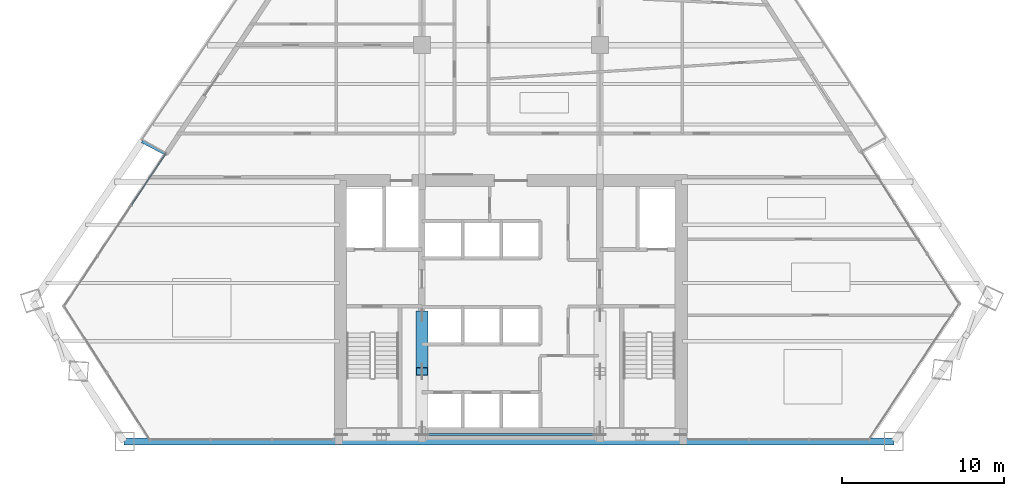
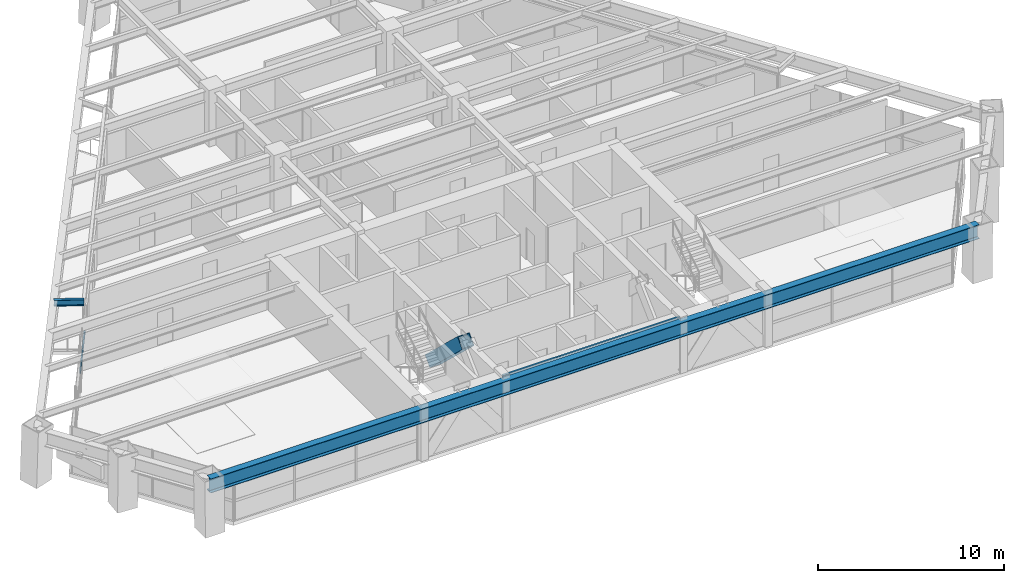
# One storey, part 3 of 14: 3 beams, 2 members, 1 element without a shape of its own.
"""IFC4 building model written with IfcOpenShell, lengths in metres."""

from ifc_helpers import new_model, si_unit, direction, frame, origin, origin_2d, place, context, subcontext, project, spatial, rectangle, hollow_rectangle, i_section, extrude, source, transform, mapped, material, material_profile, profile_set, type_object, type_shapes, element, aggregate, save


model = new_model("IFC4")

# Units and contexts
model_context = context("Model", 3, precision=1e-05, world=origin(), true_north=direction((0.0, 1.0)))
body_context = subcontext(model_context, "Body", "Model", "MODEL_VIEW")
ifc_project = project(units=[si_unit("LENGTHUNIT", "METRE"), si_unit("AREAUNIT", "SQUARE_METRE"), si_unit("VOLUMEUNIT", "CUBIC_METRE"), si_unit("PLANEANGLEUNIT", "RADIAN"), si_unit("MASSUNIT", "GRAM", prefix="KILO")], contexts=[model_context])

# Site, building, storey
site_placement = place(None, origin())
site = spatial("IfcSite", under=ifc_project, at=site_placement, CompositionType="ELEMENT")
building_placement = place(site_placement, origin())
building = spatial("IfcBuilding", under=site, at=building_placement, Name="Varnakhor Terracotta Tower", CompositionType="ELEMENT")
storey_placement = place(building_placement, frame((0.0, 0.0, 113.60009765625)))
storey = spatial("IfcBuildingStorey", under=building, at=storey_placement, Name="L28", CompositionType="ELEMENT", Elevation=113.60009765625)

# Beam
ifc_material_1 = material(Name="Steel S355", Category="steel")
ifc_material_profile_1 = material_profile(ifc_material_1, i_section(OverallWidth=0.1201171875, OverallDepth=0.239990234375, WebThickness=0.006103515625, FlangeThickness=0.009765625, FilletRadius=0.01806640625, at=origin_2d()), Name="IPE240")
ifc_profile_set_1 = profile_set([ifc_material_profile_1], Name="Steel S355")
beam_type_1 = type_object("IfcBeamType", Name="LNT-IPE240", PredefinedType="LINTEL", material=ifc_profile_set_1)
shared_shape_1 = source(origin(), body_context, "Body", "SweptSolid", [
    extrude(i_section(OverallWidth=0.1201171875, OverallDepth=0.239990234375, WebThickness=0.006103515625, FlangeThickness=0.009765625, FilletRadius=0.01806640625, at=origin_2d()), origin(), (0.0, 0.0, 1.0), 11.0),
])
type_shapes(beam_type_1, [shared_shape_1])
beam_1_placement = place(storey_placement, frame((-5.5, 0.419921875, 3.329833984375), z_axis=(1.0, 0.0, 0.0), x_axis=(0.0, 1.0, 0.0)))
element("IfcBeam", 1, at=beam_1_placement, inside=storey, type_object=beam_type_1, Name="L28 Core South Coupling Lintel", PredefinedType="LINTEL", context=body_context, shape_type="MappedRepresentation", body=[
    mapped(shared_shape_1, transform((0.0, 0.0, 0.0), scale=1.0)),
])

# Member
ifc_material_2 = material(Name="Steel S460", Category="steel")
ifc_material_profile_2 = material_profile(ifc_material_2, hollow_rectangle(XDim=0.75, YDim=0.75, WallThickness=0.044921875, at=origin_2d()), Name="HSS750X750X45")
ifc_profile_set_2 = profile_set([ifc_material_profile_2], Name="Steel S460")
member_type_1 = type_object("IfcMemberType", Name="MBR-MEGA-750", PredefinedType="BRACE", material=ifc_profile_set_2)
shared_shape_2 = source(origin(), body_context, "Body", "SweptSolid", [
    extrude(hollow_rectangle(XDim=0.75, YDim=0.75, WallThickness=0.044921875, at=origin_2d()), origin(), (0.0, 0.0, 1.0), 4.792236328125),
])
member_1_placement = place(storey_placement, frame((-5.5, 7.800048828125, 0.0), z_axis=(0.0, -0.72515968173, 0.688580740359), x_axis=(1.0, 0.0, 0.0)))
element("IfcMember", 2, at=member_1_placement, inside=storey, type_object=member_type_1, Name="L28 Core Coupled Brace CWWB", PredefinedType="BRACE", context=body_context, shape_type="MappedRepresentation", body=[
    mapped(shared_shape_2, transform((0.0, 0.0, 0.0), scale=1.0)),
])

# Beam
ifc_material_profile_3 = material_profile(ifc_material_1, i_section(OverallWidth=0.41796875, OverallDepth=0.927001953125, WebThickness=0.01904296875, FlangeThickness=0.031982421875, FilletRadius=0.01806640625, at=origin_2d()), Name="W36X231")
ifc_profile_set_3 = profile_set([ifc_material_profile_3], Name="Steel S355")
beam_type_2 = type_object("IfcBeamType", Name="BM-W36X231", PredefinedType="BEAM", material=ifc_profile_set_3)
shared_shape_3 = source(origin(), body_context, "Body", "SweptSolid", [
    extrude(i_section(OverallWidth=0.41796875, OverallDepth=0.927001953125, WebThickness=0.01904296875, FlangeThickness=0.031982421875, FilletRadius=0.01806640625, at=origin_2d()), origin(), (0.0, 0.0, 1.0), 47.59716796875),
])
beam_2_placement = place(storey_placement, frame((-23.907958984375, 0.0, 2.986328125), z_axis=(1.0, 0.0, 0.0), x_axis=(0.0, 1.0, 0.0)))
element("IfcBeam", 3, at=beam_2_placement, inside=storey, type_object=beam_type_2, Name="L28 Perimeter Spandrel 1", PredefinedType="BEAM", context=body_context, shape_type="MappedRepresentation", body=[
    mapped(shared_shape_3, transform((0.0, 0.0, 0.0), scale=1.0)),
])

# Curtain wall, member
ifc_material_3 = material(Name="Anodised Aluminium Curtain Wall System", Category="aluminium")
curtain_wall_type = type_object("IfcCurtainWallType", Name="CW-SYS-LOW-OFFICE", PredefinedType="NOTDEFINED", material=ifc_material_3)
curtain_wall_placement = place(storey_placement, origin())
curtain_wall = element("IfcCurtainWall", 4, at=curtain_wall_placement, inside=storey, type_object=curtain_wall_type, Name="L28 W Facet Curtain Wall 1", PredefinedType="NOTDEFINED")
ifc_material_4 = material(Name="Anodised Aluminium 6063-T6", Category="aluminium")
ifc_material_profile_4 = material_profile(ifc_material_4, rectangle(XDim=0.074951171875, YDim=0.1650390625, at=origin_2d()), Name="ALU TRANSOM 75x165")
ifc_profile_set_4 = profile_set([ifc_material_profile_4], Name="Anodised Aluminium 6063-T6")
member_type_2 = type_object("IfcMemberType", Name="CWT-02", PredefinedType="USERDEFINED", material=ifc_profile_set_4)
shared_shape_4 = source(origin(), body_context, "Body", "SweptSolid", [
    extrude(rectangle(XDim=0.074951171875, YDim=0.1650390625, at=origin_2d()), origin(), (0.0, 0.0, 1.0), 3.78759765625),
])
member_2_placement = place(storey_placement, frame((-23.439453125, 14.6318359375, 1.2724609375), z_axis=(0.55383713068, 0.832625025255, 0.0), x_axis=(-0.832625025255, 0.55383713068, 0.0)))
member_2 = element("IfcMember", 5, at=member_2_placement, type_object=member_type_2, Name="L28 W Facet Curtain Wall 1 Transom 3", ObjectType="TRANSOM", PredefinedType="USERDEFINED", context=body_context, shape_type="MappedRepresentation", body=[
    mapped(shared_shape_4, transform((0.0, 0.0, 0.0), scale=1.0)),
])
aggregate(curtain_wall, [member_2])

# Beam
ifc_material_profile_5 = material_profile(ifc_material_1, i_section(OverallWidth=0.179931640625, OverallDepth=0.39990234375, WebThickness=0.008544921875, FlangeThickness=0.013427734375, FilletRadius=0.01806640625, at=origin_2d()), Name="IPE400")
ifc_profile_set_5 = profile_set([ifc_material_profile_5], Name="Steel S355")
beam_type_3 = type_object("IfcBeamType", Name="JST-IPE400", PredefinedType="JOIST", material=ifc_profile_set_5)
shared_shape_5 = source(origin(), body_context, "Body", "SweptSolid", [
    extrude(i_section(OverallWidth=0.179931640625, OverallDepth=0.39990234375, WebThickness=0.008544921875, FlangeThickness=0.013427734375, FilletRadius=0.01806640625, at=origin_2d()), origin(), (0.0, 0.0, 1.0), 1.61572265625),
])
beam_3_placement = place(storey_placement, frame((-21.372314453125, 17.797607421875, 3.25), z_axis=(-0.885114796493, 0.465372750631, 0.0), x_axis=(-0.465372750631, -0.885114796493, 0.0)))
element("IfcBeam", 6, at=beam_3_placement, inside=storey, type_object=beam_type_3, Name="L29 W Loggia Tie Beam 1", PredefinedType="JOIST", context=body_context, shape_type="MappedRepresentation", body=[
    mapped(shared_shape_5, transform((0.0, 0.0, 0.0), scale=1.0)),
])

save(model, "model.ifc")
